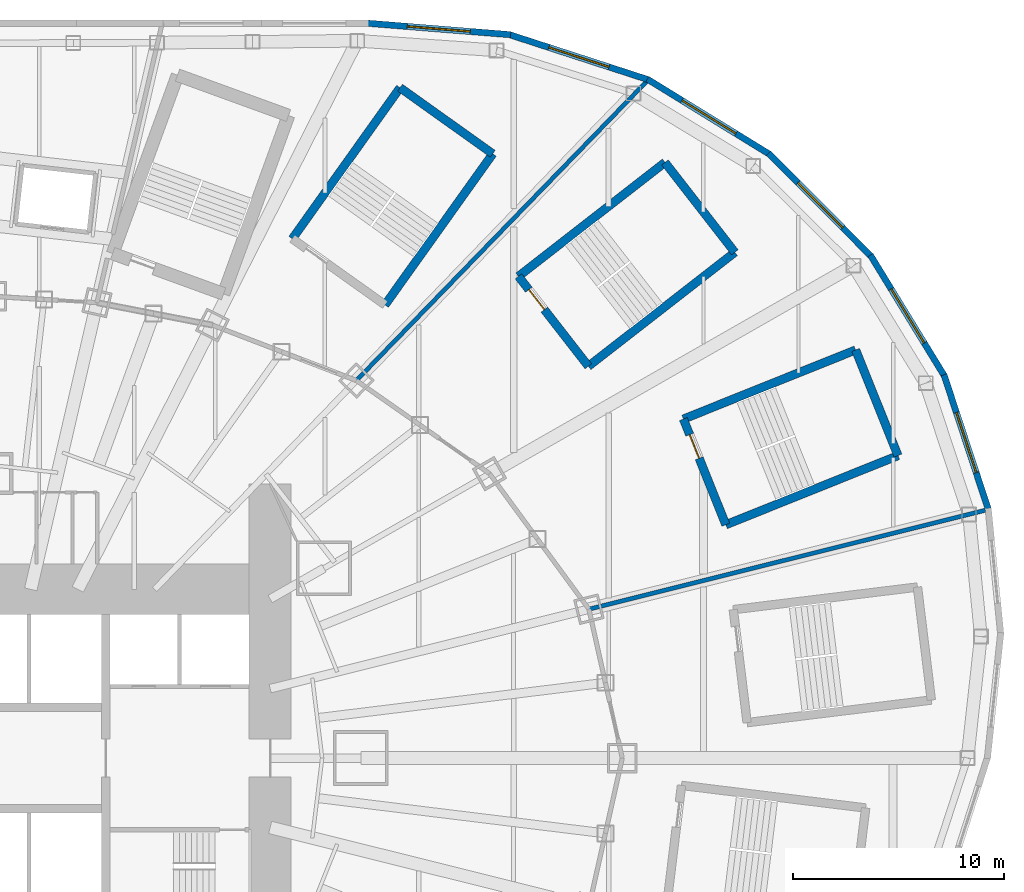
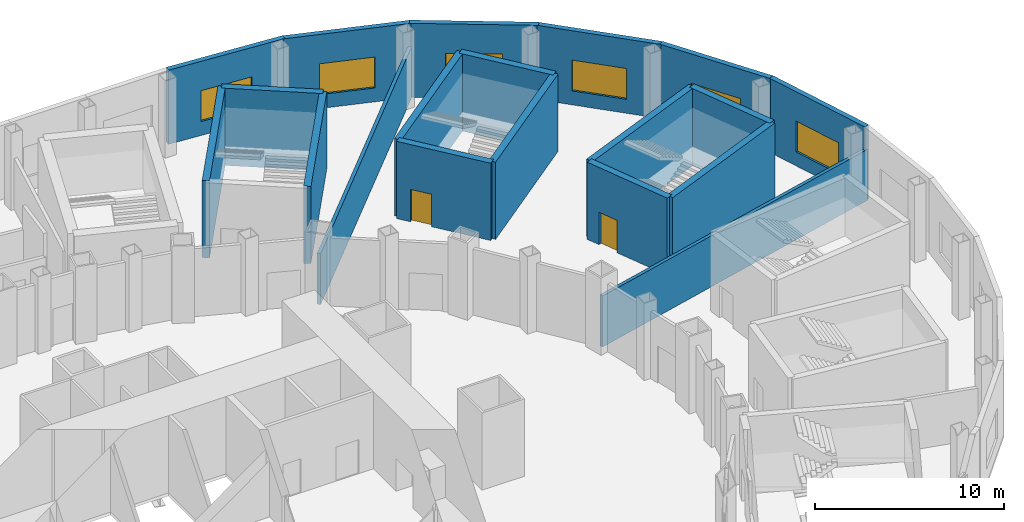
# One storey, part 18 of 73: 19 walls, 6 windows, 2 doors, 8 openings.
"""IFC4 building model written with IfcOpenShell, lengths in metres."""

from ifc_helpers import new_model, si_unit, direction, frame, frame_2d, origin, place, context, subcontext, project, spatial, rectangle, extrude, material, layer, layer_set, type_object, element, fill, save


model = new_model("IFC4")

# Units and contexts
model_context = context("Model", 3, precision=1e-05, world=origin(), true_north=direction((0.0, 1.0)))
body_context = subcontext(model_context, "Body", "Model", "MODEL_VIEW")
ifc_project = project(units=[si_unit("LENGTHUNIT", "METRE"), si_unit("AREAUNIT", "SQUARE_METRE"), si_unit("VOLUMEUNIT", "CUBIC_METRE"), si_unit("PLANEANGLEUNIT", "RADIAN"), si_unit("MASSUNIT", "GRAM", prefix="KILO")], contexts=[model_context])

# Site, building, storey
site_placement = place(None, origin())
site = spatial("IfcSite", under=ifc_project, at=site_placement, CompositionType="ELEMENT")
building_placement = place(site_placement, origin())
building = spatial("IfcBuilding", under=site, at=building_placement, Name="Lantaw Convention Tower", CompositionType="ELEMENT")
storey_placement = place(building_placement, frame((0.0, 0.0, 22.0)))
storey = spatial("IfcBuildingStorey", under=building, at=storey_placement, Name="L03", CompositionType="ELEMENT", Elevation=22.0)

# Wall, opening, window
ifc_material_1 = material(Name="Precast concrete panel, pale aluminium rainscreen", Category="concrete")
ifc_layer_1 = layer(ifc_material_1, 0.300048828125)
ifc_layer_set_1 = layer_set([ifc_layer_1], Name="Podium external wall 300")
wall_type_1 = type_object("IfcWallType", Name="Podium external wall 300", PredefinedType="SOLIDWALL", material=ifc_layer_set_1)
wall_1_placement = place(storey_placement, frame((47.27978515625, 11.735595703125, 0.0), z_axis=(0.0, 0.0, 1.0), x_axis=(-0.31263149373, 0.94987449125, 0.0)))
wall_1 = element("IfcWall", 1, at=wall_1_placement, inside=storey, type_object=wall_type_1, Name="Podium facade wall", PredefinedType="SOLIDWALL", context=body_context, shape_type="SweptSolid", body=[
    extrude(rectangle(XDim=6.7861328125, YDim=0.300048828125, at=frame_2d((3.39306640625, 0.0))), origin(), (0.0, 0.0, 1.0), 4.800048828125),
])
opening_1_placement = place(wall_1_placement, frame((1.89306640625, 0.0, 0.89990234375)))
opening_1 = element("IfcOpeningElement", 2, at=opening_1_placement, cuts=wall_1, Name="Opening W3", PredefinedType="OPENING", context=body_context, shape_type="SweptSolid", body=[
    extrude(rectangle(XDim=3.0, YDim=2.0, at=frame_2d((1.5, 1.0))), frame((0.0, 0.159912109375, 0.0), z_axis=(0.0, -1.0, 0.0), x_axis=(1.0, 0.0, 0.0)), (0.0, 0.0, 1.0), 0.320068359375),
])
ifc_material_2 = material(Name="Aluminium frame, clear insulating glass", Category="aluminium")
window_type = type_object("IfcWindowType", Name="Podium window 3000x2000", PartitioningType="DOUBLE_PANEL_VERTICAL", PredefinedType="WINDOW", material=ifc_material_2)
window_1_placement = place(opening_1_placement, origin())
window_1 = element("IfcWindow", 3, at=window_1_placement, inside=storey, type_object=window_type, Name="Podium window", OverallHeight=2.0, OverallWidth=3.0, PartitioningType="SINGLE_PANEL", PredefinedType="WINDOW", context=body_context, shape_type="SweptSolid", body=[
    extrude(rectangle(XDim=3.0, YDim=2.0, at=frame_2d((1.5, 1.0))), frame((0.0, 0.030029296875, 0.0), z_axis=(0.0, -1.0, 0.0), x_axis=(1.0, 0.0, 0.0)), (0.0, 0.0, 1.0), 0.06005859375),
])
fill(opening_1, window_1)

wall_2_placement = place(storey_placement, frame((45.206298828125, 18.078125, 0.0), z_axis=(0.0, 0.0, 1.0), x_axis=(-0.52225340952, 0.852790347181, 0.0)))
wall_2 = element("IfcWall", 4, at=wall_2_placement, inside=storey, type_object=wall_type_1, Name="Podium facade wall", PredefinedType="SOLIDWALL", context=body_context, shape_type="SweptSolid", body=[
    extrude(rectangle(XDim=6.77099609375, YDim=0.300048828125, at=frame_2d((3.385498046875, 0.0))), origin(), (0.0, 0.0, 1.0), 4.800048828125),
])
opening_2_placement = place(wall_2_placement, frame((1.885498046875, 0.0, 0.89990234375)))
opening_2 = element("IfcOpeningElement", 5, at=opening_2_placement, cuts=wall_2, Name="Opening W3", PredefinedType="OPENING", context=body_context, shape_type="SweptSolid", body=[
    extrude(rectangle(XDim=3.0, YDim=2.0, at=frame_2d((1.5, 1.0))), frame((0.0, 0.159912109375, 0.0), z_axis=(0.0, -1.0, 0.0), x_axis=(1.0, 0.0, 0.0)), (0.0, 0.0, 1.0), 0.320068359375),
])
window_2_placement = place(opening_2_placement, origin())
window_2 = element("IfcWindow", 6, at=window_2_placement, inside=storey, type_object=window_type, Name="Podium window", OverallHeight=2.0, OverallWidth=3.0, PartitioningType="SINGLE_PANEL", PredefinedType="WINDOW", context=body_context, shape_type="SweptSolid", body=[
    extrude(rectangle(XDim=3.0, YDim=2.0, at=frame_2d((1.5, 1.0))), frame((0.0, 0.030029296875, 0.0), z_axis=(0.0, -1.0, 0.0), x_axis=(1.0, 0.0, 0.0)), (0.0, 0.0, 1.0), 0.06005859375),
])
fill(opening_2, window_2)

wall_3_placement = place(storey_placement, frame((41.740966796875, 23.762451171875, 0.0), z_axis=(0.0, 0.0, 1.0), x_axis=(-0.705874614645, 0.708336804352, 0.0)))
wall_3 = element("IfcWall", 7, at=wall_3_placement, inside=storey, type_object=wall_type_1, Name="Podium facade wall", PredefinedType="SOLIDWALL", context=body_context, shape_type="SweptSolid", body=[
    extrude(rectangle(XDim=6.94091796875, YDim=0.300048828125, at=frame_2d((3.470458984375, 0.0))), origin(), (0.0, 0.0, 1.0), 4.800048828125),
])
opening_3_placement = place(wall_3_placement, frame((1.970458984375, 0.0, 0.89990234375)))
opening_3 = element("IfcOpeningElement", 8, at=opening_3_placement, cuts=wall_3, Name="Opening W3", PredefinedType="OPENING", context=body_context, shape_type="SweptSolid", body=[
    extrude(rectangle(XDim=3.0, YDim=2.0, at=frame_2d((1.5, 1.0))), frame((0.0, 0.159912109375, 0.0), z_axis=(0.0, -1.0, 0.0), x_axis=(1.0, 0.0, 0.0)), (0.0, 0.0, 1.0), 0.320068359375),
])
window_3_placement = place(opening_3_placement, origin())
window_3 = element("IfcWindow", 9, at=window_3_placement, inside=storey, type_object=window_type, Name="Podium window", OverallHeight=2.0, OverallWidth=3.0, PartitioningType="SINGLE_PANEL", PredefinedType="WINDOW", context=body_context, shape_type="SweptSolid", body=[
    extrude(rectangle(XDim=3.0, YDim=2.0, at=frame_2d((1.5, 1.0))), frame((0.0, 0.030029296875, 0.0), z_axis=(0.0, -1.0, 0.0), x_axis=(1.0, 0.0, 0.0)), (0.0, 0.0, 1.0), 0.06005859375),
])
fill(opening_3, window_3)

wall_4_placement = place(storey_placement, frame((36.931640625, 28.60791015625, 0.0), z_axis=(0.0, 0.0, 1.0), x_axis=(-0.851808565246, 0.52385319334, 0.0)))
wall_4 = element("IfcWall", 10, at=wall_4_placement, inside=storey, type_object=wall_type_1, Name="Podium facade wall", PredefinedType="SOLIDWALL", context=body_context, shape_type="SweptSolid", body=[
    extrude(rectangle(XDim=6.860595703125, YDim=0.300048828125, at=frame_2d((3.43017578125, 0.0))), origin(), (0.0, 0.0, 1.0), 4.800048828125),
])
opening_4_placement = place(wall_4_placement, frame((1.930419921875, 0.0, 0.89990234375)))
opening_4 = element("IfcOpeningElement", 11, at=opening_4_placement, cuts=wall_4, Name="Opening W3", PredefinedType="OPENING", context=body_context, shape_type="SweptSolid", body=[
    extrude(rectangle(XDim=3.0, YDim=2.0, at=frame_2d((1.5, 1.0))), frame((0.0, 0.159912109375, 0.0), z_axis=(0.0, -1.0, 0.0), x_axis=(1.0, 0.0, 0.0)), (0.0, 0.0, 1.0), 0.320068359375),
])
window_4_placement = place(opening_4_placement, origin())
window_4 = element("IfcWindow", 12, at=window_4_placement, inside=storey, type_object=window_type, Name="Podium window", OverallHeight=2.0, OverallWidth=3.0, PartitioningType="SINGLE_PANEL", PredefinedType="WINDOW", context=body_context, shape_type="SweptSolid", body=[
    extrude(rectangle(XDim=3.0, YDim=2.0, at=frame_2d((1.5, 1.0))), frame((0.0, 0.030029296875, 0.0), z_axis=(0.0, -1.0, 0.0), x_axis=(1.0, 0.0, 0.0)), (0.0, 0.0, 1.0), 0.06005859375),
])
fill(opening_4, window_4)

wall_5_placement = place(storey_placement, frame((31.19189453125, 32.15380859375, 0.0), z_axis=(0.0, 0.0, 1.0), x_axis=(-0.951140010357, 0.308759907853, 0.0)))
wall_5 = element("IfcWall", 13, at=wall_5_placement, inside=storey, type_object=wall_type_1, Name="Podium facade wall", PredefinedType="SOLIDWALL", context=body_context, shape_type="SweptSolid", body=[
    extrude(rectangle(XDim=7.041259765625, YDim=0.300048828125, at=frame_2d((3.5205078125, 0.0))), origin(), (0.0, 0.0, 1.0), 4.800048828125),
])
opening_5_placement = place(wall_5_placement, frame((2.020751953125, 0.0, 0.89990234375)))
opening_5 = element("IfcOpeningElement", 14, at=opening_5_placement, cuts=wall_5, Name="Opening W3", PredefinedType="OPENING", context=body_context, shape_type="SweptSolid", body=[
    extrude(rectangle(XDim=3.0, YDim=2.0, at=frame_2d((1.5, 1.0))), frame((0.0, 0.159912109375, 0.0), z_axis=(0.0, -1.0, 0.0), x_axis=(1.0, 0.0, 0.0)), (0.0, 0.0, 1.0), 0.320068359375),
])
window_5_placement = place(opening_5_placement, origin())
window_5 = element("IfcWindow", 15, at=window_5_placement, inside=storey, type_object=window_type, Name="Podium window", OverallHeight=2.0, OverallWidth=3.0, PartitioningType="SINGLE_PANEL", PredefinedType="WINDOW", context=body_context, shape_type="SweptSolid", body=[
    extrude(rectangle(XDim=3.0, YDim=2.0, at=frame_2d((1.5, 1.0))), frame((0.0, 0.030029296875, 0.0), z_axis=(0.0, -1.0, 0.0), x_axis=(1.0, 0.0, 0.0)), (0.0, 0.0, 1.0), 0.06005859375),
])
fill(opening_5, window_5)

wall_6_placement = place(storey_placement, frame((24.606689453125, 34.3056640625, 0.0), z_axis=(0.0, 0.0, 1.0), x_axis=(-0.996791084449, 0.080047073422, 0.0)))
wall_6 = element("IfcWall", 16, at=wall_6_placement, inside=storey, type_object=wall_type_1, Name="Podium facade wall", PredefinedType="SOLIDWALL", context=body_context, shape_type="SweptSolid", body=[
    extrude(rectangle(XDim=6.84716796875, YDim=0.300048828125, at=frame_2d((3.423583984375, 0.0))), origin(), (0.0, 0.0, 1.0), 4.800048828125),
])
opening_6_placement = place(wall_6_placement, frame((1.923583984375, 0.0, 0.89990234375)))
opening_6 = element("IfcOpeningElement", 17, at=opening_6_placement, cuts=wall_6, Name="Opening W3", PredefinedType="OPENING", context=body_context, shape_type="SweptSolid", body=[
    extrude(rectangle(XDim=3.0, YDim=2.0, at=frame_2d((1.5, 1.0))), frame((0.0, 0.159912109375, 0.0), z_axis=(0.0, -1.0, 0.0), x_axis=(1.0, 0.0, 0.0)), (0.0, 0.0, 1.0), 0.320068359375),
])
window_6_placement = place(opening_6_placement, origin())
window_6 = element("IfcWindow", 18, at=window_6_placement, inside=storey, type_object=window_type, Name="Podium window", OverallHeight=2.0, OverallWidth=3.0, PartitioningType="SINGLE_PANEL", PredefinedType="WINDOW", context=body_context, shape_type="SweptSolid", body=[
    extrude(rectangle(XDim=3.0, YDim=2.0, at=frame_2d((1.5, 1.0))), frame((0.0, 0.030029296875, 0.0), z_axis=(0.0, -1.0, 0.0), x_axis=(1.0, 0.0, 0.0)), (0.0, 0.0, 1.0), 0.06005859375),
])
fill(opening_6, window_6)

# Walls
ifc_material_3 = material(Name="Concrete blockwork", Category="masonry")
ifc_layer_2 = layer(ifc_material_3, 0.199951171875)
ifc_layer_set_2 = layer_set([ifc_layer_2], Name="Podium partition 200")
wall_type_2 = type_object("IfcWallType", Name="Podium partition 200", PredefinedType="SOLIDWALL", material=ifc_layer_set_2)
wall_7_placement = place(storey_placement, frame((28.31787109375, 7.060302734375, 0.0), z_axis=(0.0, 0.0, 1.0), x_axis=(0.970227758662, 0.242194335859, 0.0)))
element("IfcWall", 19, at=wall_7_placement, inside=storey, type_object=wall_type_2, Name="Podium partition 200", PredefinedType="SOLIDWALL", context=body_context, shape_type="SweptSolid", body=[
    extrude(rectangle(XDim=19.525634765625, YDim=0.199951171875, at=frame_2d((9.7626953125, 0.0))), origin(), (0.0, 0.0, 1.0), 3.300048828125),
])
wall_8_placement = place(storey_placement, frame((17.290771484375, 17.9052734375, 0.0), z_axis=(0.0, 0.0, 1.0), x_axis=(0.696460684513, 0.717594951855, 0.0)))
element("IfcWall", 20, at=wall_8_placement, inside=storey, type_object=wall_type_2, Name="Podium partition 200", PredefinedType="SOLIDWALL", context=body_context, shape_type="SweptSolid", body=[
    extrude(rectangle(XDim=19.880859375, YDim=0.199951171875, at=frame_2d((9.9404296875, 0.0))), origin(), (0.0, 0.0, 1.0), 3.300048828125),
])
ifc_material_4 = material(Name="Concrete C40/50, stair core", Category="concrete")
ifc_layer_3 = layer(ifc_material_4, 0.39990234375)
ifc_layer_set_3 = layer_set([ifc_layer_3], Name="Stair enclosure wall 400 EI 120")
wall_type_3 = type_object("IfcWallType", Name="Stair enclosure wall 400 EI 120", PredefinedType="SHEAR", material=ifc_layer_set_3)
wall_9_placement = place(storey_placement, frame((34.811767578125, 11.0654296875, 0.0), z_axis=(0.0, 0.0, 1.0), x_axis=(0.92801678004, 0.372538395288, 0.0)))
element("IfcWall", 21, at=wall_9_placement, inside=storey, type_object=wall_type_3, Name="Stair enclosure wall", PredefinedType="SHEAR", context=body_context, shape_type="SweptSolid", body=[
    extrude(rectangle(XDim=8.800048828125, YDim=0.39990234375, at=frame_2d((4.39990234375, 0.0))), origin(), (0.0, 0.0, 1.0), 5.0),
])
wall_10_placement = place(storey_placement, frame((42.978271484375, 14.34375, 0.0), z_axis=(0.0, 0.0, 1.0), x_axis=(-0.372544066459, 0.928014503414, 0.0)))
element("IfcWall", 22, at=wall_10_placement, inside=storey, type_object=wall_type_3, Name="Stair enclosure wall", PredefinedType="SHEAR", context=body_context, shape_type="SweptSolid", body=[
    extrude(rectangle(XDim=5.39990234375, YDim=0.39990234375, at=frame_2d((2.699951171875, 0.0))), origin(), (0.0, 0.0, 1.0), 5.0),
])
wall_11_placement = place(storey_placement, frame((40.966552734375, 19.35498046875, 0.0), z_axis=(0.0, 0.0, 1.0), x_axis=(-0.92801678004, -0.372538395288, 0.0)))
element("IfcWall", 23, at=wall_11_placement, inside=storey, type_object=wall_type_3, Name="Stair enclosure wall", PredefinedType="SHEAR", context=body_context, shape_type="SweptSolid", body=[
    extrude(rectangle(XDim=8.800048828125, YDim=0.39990234375, at=frame_2d((4.39990234375, 0.0))), origin(), (0.0, 0.0, 1.0), 5.0),
])

# Wall, opening, door
wall_12_placement = place(storey_placement, frame((32.800048828125, 16.07666015625, 0.0), z_axis=(0.0, 0.0, 1.0), x_axis=(0.372544066459, -0.928014503414, 0.0)))
wall_12 = element("IfcWall", 24, at=wall_12_placement, inside=storey, type_object=wall_type_3, Name="Stair enclosure wall", PredefinedType="SHEAR", context=body_context, shape_type="SweptSolid", body=[
    extrude(rectangle(XDim=5.39990234375, YDim=0.39990234375, at=frame_2d((2.699951171875, 0.0))), origin(), (0.0, 0.0, 1.0), 5.0),
])
opening_7_placement = place(wall_12_placement, frame((0.800048828125, 0.0, 0.0)))
opening_7 = element("IfcOpeningElement", 25, at=opening_7_placement, cuts=wall_12, Name="Opening L03.P2", PredefinedType="OPENING", context=body_context, shape_type="SweptSolid", body=[
    extrude(rectangle(XDim=1.199951171875, YDim=2.10009765625, at=frame_2d((0.60009765625, 1.050048828125))), frame((0.0, 0.2099609375, 0.0), z_axis=(0.0, -1.0, 0.0), x_axis=(1.0, 0.0, 0.0)), (0.0, 0.0, 1.0), 0.419921875),
])
ifc_material_5 = material(Name="Steel, fire rated", Category="steel")
door_type = type_object("IfcDoorType", Name="Stair door FD90", OperationType="SINGLE_SWING_RIGHT", PredefinedType="DOOR", material=ifc_material_5)
door_1_placement = place(opening_7_placement, origin())
door_1 = element("IfcDoor", 26, at=door_1_placement, inside=storey, type_object=door_type, Name="Exit stair door", OperationType="SINGLE_SWING_RIGHT", OverallHeight=2.10009765625, OverallWidth=1.199951171875, PredefinedType="DOOR", context=body_context, shape_type="SweptSolid", body=[
    extrude(rectangle(XDim=1.199951171875, YDim=2.10009765625, at=frame_2d((0.60009765625, 1.050048828125))), frame((0.0, 0.02490234375, 0.0), z_axis=(0.0, -1.0, 0.0), x_axis=(1.0, 0.0, 0.0)), (0.0, 0.0, 1.0), 0.050048828125),
])
fill(opening_7, door_1)

# Walls
wall_13_placement = place(storey_placement, frame((28.292724609375, 18.5830078125, 0.0), z_axis=(0.0, 0.0, 1.0), x_axis=(0.78938060008, 0.613904119726, 0.0)))
element("IfcWall", 27, at=wall_13_placement, inside=storey, type_object=wall_type_3, Name="Stair enclosure wall", PredefinedType="SHEAR", context=body_context, shape_type="SweptSolid", body=[
    extrude(rectangle(XDim=8.800048828125, YDim=0.39990234375, at=frame_2d((4.39990234375, 0.0))), origin(), (0.0, 0.0, 1.0), 5.0),
])
wall_14_placement = place(storey_placement, frame((35.2392578125, 23.9853515625, 0.0), z_axis=(0.0, 0.0, 1.0), x_axis=(-0.613912443548, 0.789374126544, 0.0)))
element("IfcWall", 28, at=wall_14_placement, inside=storey, type_object=wall_type_3, Name="Stair enclosure wall", PredefinedType="SHEAR", context=body_context, shape_type="SweptSolid", body=[
    extrude(rectangle(XDim=5.400146484375, YDim=0.39990234375, at=frame_2d((2.7001953125, 0.0))), origin(), (0.0, 0.0, 1.0), 5.0),
])
wall_15_placement = place(storey_placement, frame((31.924072265625, 28.248046875, 0.0), z_axis=(0.0, 0.0, 1.0), x_axis=(-0.78938060008, -0.613904119726, 0.0)))
element("IfcWall", 29, at=wall_15_placement, inside=storey, type_object=wall_type_3, Name="Stair enclosure wall", PredefinedType="SHEAR", context=body_context, shape_type="SweptSolid", body=[
    extrude(rectangle(XDim=8.800048828125, YDim=0.39990234375, at=frame_2d((4.39990234375, 0.0))), origin(), (0.0, 0.0, 1.0), 5.0),
])

# Wall, opening, door
wall_16_placement = place(storey_placement, frame((24.9775390625, 22.845703125, 0.0), z_axis=(0.0, 0.0, 1.0), x_axis=(0.613912443548, -0.789374126544, 0.0)))
wall_16 = element("IfcWall", 30, at=wall_16_placement, inside=storey, type_object=wall_type_3, Name="Stair enclosure wall", PredefinedType="SHEAR", context=body_context, shape_type="SweptSolid", body=[
    extrude(rectangle(XDim=5.400146484375, YDim=0.39990234375, at=frame_2d((2.7001953125, 0.0))), origin(), (0.0, 0.0, 1.0), 5.0),
])
opening_8_placement = place(wall_16_placement, frame((0.800048828125, 0.0, 0.0)))
opening_8 = element("IfcOpeningElement", 31, at=opening_8_placement, cuts=wall_16, Name="Opening L03.P3", PredefinedType="OPENING", context=body_context, shape_type="SweptSolid", body=[
    extrude(rectangle(XDim=1.199951171875, YDim=2.10009765625, at=frame_2d((0.60009765625, 1.050048828125))), frame((0.0, 0.2099609375, 0.0), z_axis=(0.0, -1.0, 0.0), x_axis=(1.0, 0.0, 0.0)), (0.0, 0.0, 1.0), 0.419921875),
])
door_2_placement = place(opening_8_placement, origin())
door_2 = element("IfcDoor", 32, at=door_2_placement, inside=storey, type_object=door_type, Name="Exit stair door", OperationType="SINGLE_SWING_RIGHT", OverallHeight=2.10009765625, OverallWidth=1.199951171875, PredefinedType="DOOR", context=body_context, shape_type="SweptSolid", body=[
    extrude(rectangle(XDim=1.199951171875, YDim=2.10009765625, at=frame_2d((0.60009765625, 1.050048828125))), frame((0.0, 0.02490234375, 0.0), z_axis=(0.0, -1.0, 0.0), x_axis=(1.0, 0.0, 0.0)), (0.0, 0.0, 1.0), 0.050048828125),
])
fill(opening_8, door_2)

# Walls
wall_17_placement = place(storey_placement, frame((18.647216796875, 21.492919921875, 0.0), z_axis=(0.0, 0.0, 1.0), x_axis=(0.580705313356, 0.814113836659, 0.0)))
element("IfcWall", 33, at=wall_17_placement, inside=storey, type_object=wall_type_3, Name="Stair enclosure wall", PredefinedType="SHEAR", context=body_context, shape_type="SweptSolid", body=[
    extrude(rectangle(XDim=8.7998046875, YDim=0.39990234375, at=frame_2d((4.39990234375, 0.0))), origin(), (0.0, 0.0, 1.0), 5.0),
])
wall_18_placement = place(storey_placement, frame((23.75732421875, 28.656982421875, 0.0), z_axis=(0.0, 0.0, 1.0), x_axis=(-0.814121252423, 0.580694916762, 0.0)))
element("IfcWall", 34, at=wall_18_placement, inside=storey, type_object=wall_type_3, Name="Stair enclosure wall", PredefinedType="SHEAR", context=body_context, shape_type="SweptSolid", body=[
    extrude(rectangle(XDim=5.39990234375, YDim=0.39990234375, at=frame_2d((2.699951171875, 0.0))), origin(), (0.0, 0.0, 1.0), 5.0),
])
wall_19_placement = place(storey_placement, frame((19.361083984375, 31.792724609375, 0.0), z_axis=(0.0, 0.0, 1.0), x_axis=(-0.580705313356, -0.814113836659, 0.0)))
element("IfcWall", 35, at=wall_19_placement, inside=storey, type_object=wall_type_3, Name="Stair enclosure wall", PredefinedType="SHEAR", context=body_context, shape_type="SweptSolid", body=[
    extrude(rectangle(XDim=8.7998046875, YDim=0.39990234375, at=frame_2d((4.39990234375, 0.0))), origin(), (0.0, 0.0, 1.0), 5.0),
])

save(model, "model.ifc")
